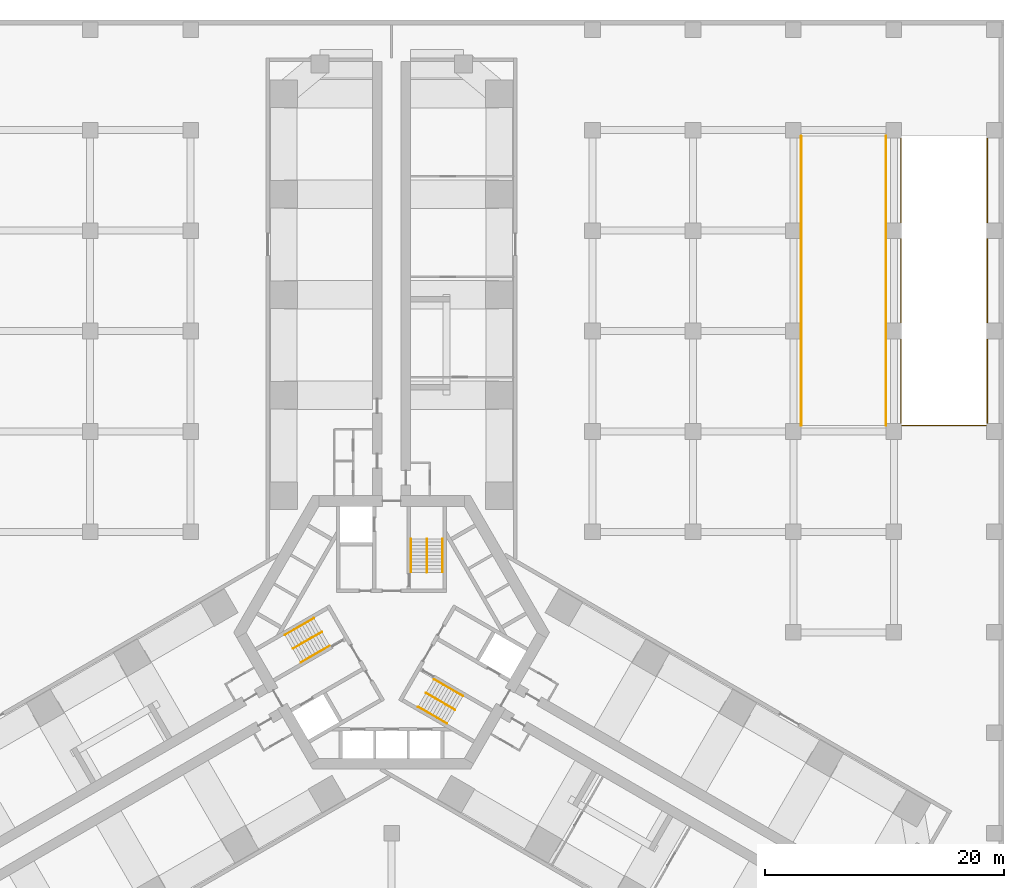
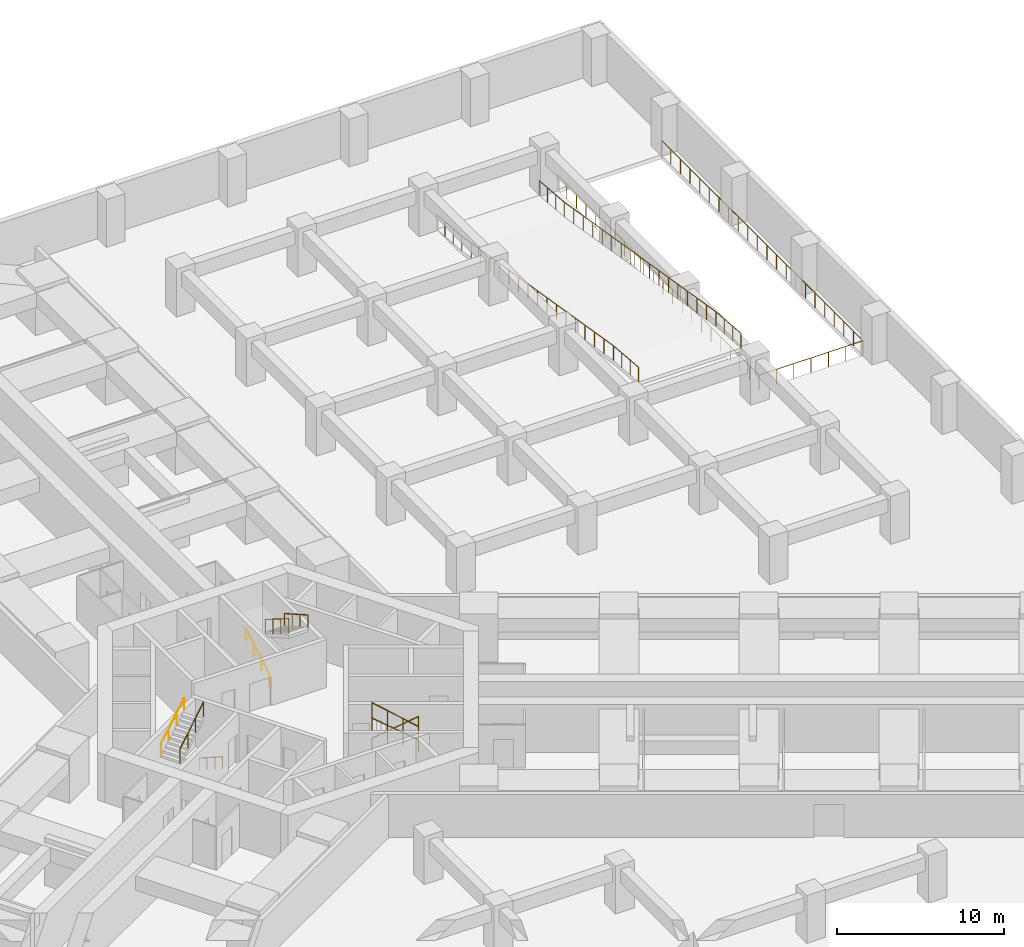
# One storey, part 10 of 10: 12 railings.
"""IFC4 building model written with IfcOpenShell, lengths in metres."""

from ifc_helpers import new_model, si_unit, direction, frame, origin, origin_2d, place, context, subcontext, project, spatial, circle, extrude, material, type_object, element, save


model = new_model("IFC4")

# Units and contexts
model_context = context("Model", 3, precision=1e-05, world=origin(), true_north=direction((0.0, 1.0)))
body_context = subcontext(model_context, "Body", "Model", "MODEL_VIEW")
ifc_project = project(units=[si_unit("LENGTHUNIT", "METRE"), si_unit("AREAUNIT", "SQUARE_METRE"), si_unit("VOLUMEUNIT", "CUBIC_METRE"), si_unit("PLANEANGLEUNIT", "RADIAN"), si_unit("MASSUNIT", "GRAM", prefix="KILO")], contexts=[model_context])

# Site, building, storey
site_placement = place(None, origin())
site = spatial("IfcSite", under=ifc_project, at=site_placement, CompositionType="ELEMENT")
building_placement = place(site_placement, origin())
building = spatial("IfcBuilding", under=site, at=building_placement, Name="Impinga Residences", CompositionType="ELEMENT")
storey_placement = place(building_placement, frame((0.0, 0.0, -3.5)))
storey = spatial("IfcBuildingStorey", under=building, at=storey_placement, Name="B1", CompositionType="ELEMENT", Elevation=-3.5)

# Railings
ifc_material_1 = material(Name="Steel guard, powder coated", Category="steel")
railing_type_1 = type_object("IfcRailingType", Name="GR1 stair guard 1100", PredefinedType="GUARDRAIL", material=ifc_material_1)
railing_1_placement = place(storey_placement, frame((2.949951171875, 7.830078125, 1.75)))
element("IfcRailing", 1, at=railing_1_placement, inside=storey, type_object=railing_type_1, Name="Stair guard GR1 ST1 B1", PredefinedType="GUARDRAIL", context=body_context, shape_type="SweptSolid", body=[
    extrude(circle(Radius=0.02392578125, at=origin_2d()), frame((0.0, 0.0, 1.076171875), z_axis=(0.0, -0.848002457836, 0.529992293815), x_axis=(1.0, 0.0, 0.0)), (0.0, 0.0, 1.0), 3.302001953125),
    extrude(circle(Radius=0.02099609375, at=origin_2d()), origin(), (0.0, 0.0, 1.0), 1.052001953125),
    extrude(circle(Radius=0.02099609375, at=origin_2d()), frame((0.0, -0.933349609375, 0.583251953125)), (0.0, 0.0, 1.0), 1.052001953125),
    extrude(circle(Radius=0.02099609375, at=origin_2d()), frame((0.0, -1.86669921875, 1.166748046875)), (0.0, 0.0, 1.0), 1.052001953125),
    extrude(circle(Radius=0.02099609375, at=origin_2d()), frame((0.0, -2.800048828125, 1.75)), (0.0, 0.0, 1.0), 1.052001953125),
])
railing_2_placement = place(storey_placement, frame((-8.255859375, -1.360107421875, 1.75)))
element("IfcRailing", 2, at=railing_2_placement, inside=storey, type_object=railing_type_1, Name="Stair guard GR1 ST2 B1", PredefinedType="GUARDRAIL", context=body_context, shape_type="SweptSolid", body=[
    extrude(circle(Radius=0.02392578125, at=origin_2d()), frame((0.0, 0.0, 1.076171875), z_axis=(0.734388012738, 0.423981158381, 0.530013418778), x_axis=(-0.49998411664, 0.866034573852, 0.0)), (0.0, 0.0, 1.0), 3.3017578125),
    extrude(circle(Radius=0.02099609375, at=origin_2d()), origin(), (0.0, 0.0, 1.0), 1.052001953125),
    extrude(circle(Radius=0.02099609375, at=origin_2d()), frame((0.808349609375, 0.466552734375, 0.583251953125)), (0.0, 0.0, 1.0), 1.052001953125),
    extrude(circle(Radius=0.02099609375, at=origin_2d()), frame((1.616455078125, 0.933349609375, 1.166748046875)), (0.0, 0.0, 1.0), 1.052001953125),
    extrude(circle(Radius=0.02099609375, at=origin_2d()), frame((2.4248046875, 1.39990234375, 1.75)), (0.0, 0.0, 1.0), 1.052001953125),
])
railing_3_placement = place(storey_placement, frame((5.305908203125, -6.4697265625, 1.75)))
element("IfcRailing", 3, at=railing_3_placement, inside=storey, type_object=railing_type_1, Name="Stair guard GR1 ST3 B1", PredefinedType="GUARDRAIL", context=body_context, shape_type="SweptSolid", body=[
    extrude(circle(Radius=0.02392578125, at=origin_2d()), frame((0.0, 0.0, 1.076171875), z_axis=(-0.734388012738, 0.423981158381, 0.530013418778), x_axis=(-0.49998411664, -0.866034573852, 0.0)), (0.0, 0.0, 1.0), 3.3017578125),
    extrude(circle(Radius=0.02099609375, at=origin_2d()), origin(), (0.0, 0.0, 1.0), 1.052001953125),
    extrude(circle(Radius=0.02099609375, at=origin_2d()), frame((-0.808349609375, 0.466552734375, 0.583251953125)), (0.0, 0.0, 1.0), 1.052001953125),
    extrude(circle(Radius=0.02099609375, at=origin_2d()), frame((-1.616455078125, 0.933349609375, 1.166748046875)), (0.0, 0.0, 1.0), 1.052001953125),
    extrude(circle(Radius=0.02099609375, at=origin_2d()), frame((-2.4248046875, 1.39990234375, 1.75)), (0.0, 0.0, 1.0), 1.052001953125),
])
ifc_material_2 = material(Name="Steel guard, galvanised", Category="steel")
railing_type_2 = type_object("IfcRailingType", Name="GR2 ramp and opening guard 1100", PredefinedType="GUARDRAIL", material=ifc_material_2)
railing_4_placement = place(storey_placement, frame((34.25, 41.5, 0.0)))
element("IfcRailing", 4, at=railing_4_placement, inside=storey, type_object=railing_type_2, Name="Ramp guard GR2 W B1", PredefinedType="GUARDRAIL", context=body_context, shape_type="SweptSolid", body=[
    extrude(circle(Radius=0.02392578125, at=origin_2d()), frame((0.0, 0.0, 1.076171875), z_axis=(0.0, -0.99661255374, 0.082240000773), x_axis=(1.0, 0.0, 0.0)), (0.0, 0.0, 1.0), 3.01025390625),
    extrude(circle(Radius=0.02392578125, at=origin_2d()), frame((0.0, -3.0, 1.32373046875), z_axis=(0.0, -0.986642820524, 0.162898571841), x_axis=(1.0, 0.0, 0.0)), (0.0, 0.0, 1.0), 18.4462890625),
    extrude(circle(Radius=0.02392578125, at=origin_2d()), frame((0.0, -21.199951171875, 4.32861328125), z_axis=(0.0, -0.99661255374, 0.082240000773), x_axis=(1.0, 0.0, 0.0)), (0.0, 0.0, 1.0), 3.01025390625),
    extrude(circle(Radius=0.02099609375, at=origin_2d()), origin(), (0.0, 0.0, 1.0), 1.052001953125),
    extrude(circle(Radius=0.02099609375, at=origin_2d()), frame((0.0, -1.0, 0.08251953125)), (0.0, 0.0, 1.0), 1.052001953125),
    extrude(circle(Radius=0.02099609375, at=origin_2d()), frame((0.0, -2.0, 0.1650390625)), (0.0, 0.0, 1.0), 1.052001953125),
    extrude(circle(Radius=0.02099609375, at=origin_2d()), frame((0.0, -3.0, 0.24755859375)), (0.0, 0.0, 1.0), 1.052001953125),
    extrude(circle(Radius=0.02099609375, at=origin_2d()), frame((0.0, -4.137451171875, 0.435302734375)), (0.0, 0.0, 1.0), 1.052001953125),
    extrude(circle(Radius=0.02099609375, at=origin_2d()), frame((0.0, -5.27490234375, 0.623046875)), (0.0, 0.0, 1.0), 1.052001953125),
    extrude(circle(Radius=0.02099609375, at=origin_2d()), frame((0.0, -6.41259765625, 0.81103515625)), (0.0, 0.0, 1.0), 1.052001953125),
    extrude(circle(Radius=0.02099609375, at=origin_2d()), frame((0.0, -7.550048828125, 0.998779296875)), (0.0, 0.0, 1.0), 1.052001953125),
    extrude(circle(Radius=0.02099609375, at=origin_2d()), frame((0.0, -8.6875, 1.1865234375)), (0.0, 0.0, 1.0), 1.052001953125),
    extrude(circle(Radius=0.02099609375, at=origin_2d()), frame((0.0, -9.824951171875, 1.37451171875)), (0.0, 0.0, 1.0), 1.052001953125),
    extrude(circle(Radius=0.02099609375, at=origin_2d()), frame((0.0, -10.96240234375, 1.562255859375)), (0.0, 0.0, 1.0), 1.052001953125),
    extrude(circle(Radius=0.02099609375, at=origin_2d()), frame((0.0, -12.10009765625, 1.75)), (0.0, 0.0, 1.0), 1.052001953125),
    extrude(circle(Radius=0.02099609375, at=origin_2d()), frame((0.0, -13.237548828125, 1.937744140625)), (0.0, 0.0, 1.0), 1.052001953125),
    extrude(circle(Radius=0.02099609375, at=origin_2d()), frame((0.0, -14.375, 2.12548828125)), (0.0, 0.0, 1.0), 1.052001953125),
    extrude(circle(Radius=0.02099609375, at=origin_2d()), frame((0.0, -15.512451171875, 2.3134765625)), (0.0, 0.0, 1.0), 1.052001953125),
    extrude(circle(Radius=0.02099609375, at=origin_2d()), frame((0.0, -16.64990234375, 2.501220703125)), (0.0, 0.0, 1.0), 1.052001953125),
    extrude(circle(Radius=0.02099609375, at=origin_2d()), frame((0.0, -17.787353515625, 2.68896484375)), (0.0, 0.0, 1.0), 1.052001953125),
    extrude(circle(Radius=0.02099609375, at=origin_2d()), frame((0.0, -18.925048828125, 2.876953125)), (0.0, 0.0, 1.0), 1.052001953125),
    extrude(circle(Radius=0.02099609375, at=origin_2d()), frame((0.0, -20.0625, 3.064697265625)), (0.0, 0.0, 1.0), 1.052001953125),
    extrude(circle(Radius=0.02099609375, at=origin_2d()), frame((0.0, -21.199951171875, 3.25244140625)), (0.0, 0.0, 1.0), 1.052001953125),
    extrude(circle(Radius=0.02099609375, at=origin_2d()), frame((0.0, -22.199951171875, 3.3349609375)), (0.0, 0.0, 1.0), 1.052001953125),
    extrude(circle(Radius=0.02099609375, at=origin_2d()), frame((0.0, -23.199951171875, 3.41748046875)), (0.0, 0.0, 1.0), 1.052001953125),
    extrude(circle(Radius=0.02099609375, at=origin_2d()), frame((0.0, -24.199951171875, 3.5)), (0.0, 0.0, 1.0), 1.052001953125),
])
railing_5_placement = place(storey_placement, frame((41.35009765625, 41.5, 0.0)))
element("IfcRailing", 5, at=railing_5_placement, inside=storey, type_object=railing_type_2, Name="Ramp guard GR2 E B1", PredefinedType="GUARDRAIL", context=body_context, shape_type="SweptSolid", body=[
    extrude(circle(Radius=0.02392578125, at=origin_2d()), frame((0.0, 0.0, 1.076171875), z_axis=(0.0, -0.99661255374, 0.082240000773), x_axis=(1.0, 0.0, 0.0)), (0.0, 0.0, 1.0), 3.01025390625),
    extrude(circle(Radius=0.02392578125, at=origin_2d()), frame((0.0, -3.0, 1.32373046875), z_axis=(0.0, -0.986642820524, 0.162898571841), x_axis=(1.0, 0.0, 0.0)), (0.0, 0.0, 1.0), 18.4462890625),
    extrude(circle(Radius=0.02392578125, at=origin_2d()), frame((0.0, -21.199951171875, 4.32861328125), z_axis=(0.0, -0.99661255374, 0.082240000773), x_axis=(1.0, 0.0, 0.0)), (0.0, 0.0, 1.0), 3.01025390625),
    extrude(circle(Radius=0.02099609375, at=origin_2d()), origin(), (0.0, 0.0, 1.0), 1.052001953125),
    extrude(circle(Radius=0.02099609375, at=origin_2d()), frame((0.0, -1.0, 0.08251953125)), (0.0, 0.0, 1.0), 1.052001953125),
    extrude(circle(Radius=0.02099609375, at=origin_2d()), frame((0.0, -2.0, 0.1650390625)), (0.0, 0.0, 1.0), 1.052001953125),
    extrude(circle(Radius=0.02099609375, at=origin_2d()), frame((0.0, -3.0, 0.24755859375)), (0.0, 0.0, 1.0), 1.052001953125),
    extrude(circle(Radius=0.02099609375, at=origin_2d()), frame((0.0, -4.137451171875, 0.435302734375)), (0.0, 0.0, 1.0), 1.052001953125),
    extrude(circle(Radius=0.02099609375, at=origin_2d()), frame((0.0, -5.27490234375, 0.623046875)), (0.0, 0.0, 1.0), 1.052001953125),
    extrude(circle(Radius=0.02099609375, at=origin_2d()), frame((0.0, -6.41259765625, 0.81103515625)), (0.0, 0.0, 1.0), 1.052001953125),
    extrude(circle(Radius=0.02099609375, at=origin_2d()), frame((0.0, -7.550048828125, 0.998779296875)), (0.0, 0.0, 1.0), 1.052001953125),
    extrude(circle(Radius=0.02099609375, at=origin_2d()), frame((0.0, -8.6875, 1.1865234375)), (0.0, 0.0, 1.0), 1.052001953125),
    extrude(circle(Radius=0.02099609375, at=origin_2d()), frame((0.0, -9.824951171875, 1.37451171875)), (0.0, 0.0, 1.0), 1.052001953125),
    extrude(circle(Radius=0.02099609375, at=origin_2d()), frame((0.0, -10.96240234375, 1.562255859375)), (0.0, 0.0, 1.0), 1.052001953125),
    extrude(circle(Radius=0.02099609375, at=origin_2d()), frame((0.0, -12.10009765625, 1.75)), (0.0, 0.0, 1.0), 1.052001953125),
    extrude(circle(Radius=0.02099609375, at=origin_2d()), frame((0.0, -13.237548828125, 1.937744140625)), (0.0, 0.0, 1.0), 1.052001953125),
    extrude(circle(Radius=0.02099609375, at=origin_2d()), frame((0.0, -14.375, 2.12548828125)), (0.0, 0.0, 1.0), 1.052001953125),
    extrude(circle(Radius=0.02099609375, at=origin_2d()), frame((0.0, -15.512451171875, 2.3134765625)), (0.0, 0.0, 1.0), 1.052001953125),
    extrude(circle(Radius=0.02099609375, at=origin_2d()), frame((0.0, -16.64990234375, 2.501220703125)), (0.0, 0.0, 1.0), 1.052001953125),
    extrude(circle(Radius=0.02099609375, at=origin_2d()), frame((0.0, -17.787353515625, 2.68896484375)), (0.0, 0.0, 1.0), 1.052001953125),
    extrude(circle(Radius=0.02099609375, at=origin_2d()), frame((0.0, -18.925048828125, 2.876953125)), (0.0, 0.0, 1.0), 1.052001953125),
    extrude(circle(Radius=0.02099609375, at=origin_2d()), frame((0.0, -20.0625, 3.064697265625)), (0.0, 0.0, 1.0), 1.052001953125),
    extrude(circle(Radius=0.02099609375, at=origin_2d()), frame((0.0, -21.199951171875, 3.25244140625)), (0.0, 0.0, 1.0), 1.052001953125),
    extrude(circle(Radius=0.02099609375, at=origin_2d()), frame((0.0, -22.199951171875, 3.3349609375)), (0.0, 0.0, 1.0), 1.052001953125),
    extrude(circle(Radius=0.02099609375, at=origin_2d()), frame((0.0, -23.199951171875, 3.41748046875)), (0.0, 0.0, 1.0), 1.052001953125),
    extrude(circle(Radius=0.02099609375, at=origin_2d()), frame((0.0, -24.199951171875, 3.5)), (0.0, 0.0, 1.0), 1.052001953125),
])
railing_6_placement = place(storey_placement, frame((42.60009765625, 41.5, 0.0)))
element("IfcRailing", 6, at=railing_6_placement, inside=storey, type_object=railing_type_2, Name="Opening guard GR2 B1", PredefinedType="GUARDRAIL", context=body_context, shape_type="SweptSolid", body=[
    extrude(circle(Radius=0.02392578125, at=origin_2d()), frame((0.0, 0.0, 1.076171875), z_axis=(0.0, -1.0, 0.0), x_axis=(1.0, 0.0, 0.0)), (0.0, 0.0, 1.0), 24.199951171875),
    extrude(circle(Radius=0.02392578125, at=origin_2d()), frame((0.0, -24.199951171875, 1.076171875), z_axis=(1.0, 0.0, 0.0), x_axis=(0.0, 1.0, 0.0)), (0.0, 0.0, 1.0), 7.199951171875),
    extrude(circle(Radius=0.02392578125, at=origin_2d()), frame((7.199951171875, -24.199951171875, 1.076171875), z_axis=(0.0, 1.0, 0.0), x_axis=(-1.0, 0.0, 0.0)), (0.0, 0.0, 1.0), 24.199951171875),
    extrude(circle(Radius=0.02099609375, at=origin_2d()), origin(), (0.0, 0.0, 1.0), 1.052001953125),
    extrude(circle(Radius=0.02099609375, at=origin_2d()), frame((0.0, -1.15234375, 0.0)), (0.0, 0.0, 1.0), 1.052001953125),
    extrude(circle(Radius=0.02099609375, at=origin_2d()), frame((0.0, -2.3046875, 0.0)), (0.0, 0.0, 1.0), 1.052001953125),
    extrude(circle(Radius=0.02099609375, at=origin_2d()), frame((0.0, -3.45703125, 0.0)), (0.0, 0.0, 1.0), 1.052001953125),
    extrude(circle(Radius=0.02099609375, at=origin_2d()), frame((0.0, -4.609619140625, 0.0)), (0.0, 0.0, 1.0), 1.052001953125),
    extrude(circle(Radius=0.02099609375, at=origin_2d()), frame((0.0, -5.761962890625, 0.0)), (0.0, 0.0, 1.0), 1.052001953125),
    extrude(circle(Radius=0.02099609375, at=origin_2d()), frame((0.0, -6.914306640625, 0.0)), (0.0, 0.0, 1.0), 1.052001953125),
    extrude(circle(Radius=0.02099609375, at=origin_2d()), frame((0.0, -8.066650390625, 0.0)), (0.0, 0.0, 1.0), 1.052001953125),
    extrude(circle(Radius=0.02099609375, at=origin_2d()), frame((0.0, -9.218994140625, 0.0)), (0.0, 0.0, 1.0), 1.052001953125),
    extrude(circle(Radius=0.02099609375, at=origin_2d()), frame((0.0, -10.371337890625, 0.0)), (0.0, 0.0, 1.0), 1.052001953125),
    extrude(circle(Radius=0.02099609375, at=origin_2d()), frame((0.0, -11.523681640625, 0.0)), (0.0, 0.0, 1.0), 1.052001953125),
    extrude(circle(Radius=0.02099609375, at=origin_2d()), frame((0.0, -12.67626953125, 0.0)), (0.0, 0.0, 1.0), 1.052001953125),
    extrude(circle(Radius=0.02099609375, at=origin_2d()), frame((0.0, -13.82861328125, 0.0)), (0.0, 0.0, 1.0), 1.052001953125),
    extrude(circle(Radius=0.02099609375, at=origin_2d()), frame((0.0, -14.98095703125, 0.0)), (0.0, 0.0, 1.0), 1.052001953125),
    extrude(circle(Radius=0.02099609375, at=origin_2d()), frame((0.0, -16.13330078125, 0.0)), (0.0, 0.0, 1.0), 1.052001953125),
    extrude(circle(Radius=0.02099609375, at=origin_2d()), frame((0.0, -17.28564453125, 0.0)), (0.0, 0.0, 1.0), 1.052001953125),
    extrude(circle(Radius=0.02099609375, at=origin_2d()), frame((0.0, -18.43798828125, 0.0)), (0.0, 0.0, 1.0), 1.052001953125),
    extrude(circle(Radius=0.02099609375, at=origin_2d()), frame((0.0, -19.59033203125, 0.0)), (0.0, 0.0, 1.0), 1.052001953125),
    extrude(circle(Radius=0.02099609375, at=origin_2d()), frame((0.0, -20.742919921875, 0.0)), (0.0, 0.0, 1.0), 1.052001953125),
    extrude(circle(Radius=0.02099609375, at=origin_2d()), frame((0.0, -21.895263671875, 0.0)), (0.0, 0.0, 1.0), 1.052001953125),
    extrude(circle(Radius=0.02099609375, at=origin_2d()), frame((0.0, -23.047607421875, 0.0)), (0.0, 0.0, 1.0), 1.052001953125),
    extrude(circle(Radius=0.02099609375, at=origin_2d()), frame((0.0, -24.199951171875, 0.0)), (0.0, 0.0, 1.0), 1.052001953125),
    extrude(circle(Radius=0.02099609375, at=origin_2d()), frame((1.199951171875, -24.199951171875, 0.0)), (0.0, 0.0, 1.0), 1.052001953125),
    extrude(circle(Radius=0.02099609375, at=origin_2d()), frame((2.39990234375, -24.199951171875, 0.0)), (0.0, 0.0, 1.0), 1.052001953125),
    extrude(circle(Radius=0.02099609375, at=origin_2d()), frame((3.60009765625, -24.199951171875, 0.0)), (0.0, 0.0, 1.0), 1.052001953125),
    extrude(circle(Radius=0.02099609375, at=origin_2d()), frame((4.800048828125, -24.199951171875, 0.0)), (0.0, 0.0, 1.0), 1.052001953125),
    extrude(circle(Radius=0.02099609375, at=origin_2d()), frame((6.0, -24.199951171875, 0.0)), (0.0, 0.0, 1.0), 1.052001953125),
    extrude(circle(Radius=0.02099609375, at=origin_2d()), frame((7.199951171875, -24.199951171875, 0.0)), (0.0, 0.0, 1.0), 1.052001953125),
    extrude(circle(Radius=0.02099609375, at=origin_2d()), frame((7.199951171875, -23.047607421875, 0.0)), (0.0, 0.0, 1.0), 1.052001953125),
    extrude(circle(Radius=0.02099609375, at=origin_2d()), frame((7.199951171875, -21.895263671875, 0.0)), (0.0, 0.0, 1.0), 1.052001953125),
    extrude(circle(Radius=0.02099609375, at=origin_2d()), frame((7.199951171875, -20.742919921875, 0.0)), (0.0, 0.0, 1.0), 1.052001953125),
    extrude(circle(Radius=0.02099609375, at=origin_2d()), frame((7.199951171875, -19.59033203125, 0.0)), (0.0, 0.0, 1.0), 1.052001953125),
    extrude(circle(Radius=0.02099609375, at=origin_2d()), frame((7.199951171875, -18.43798828125, 0.0)), (0.0, 0.0, 1.0), 1.052001953125),
    extrude(circle(Radius=0.02099609375, at=origin_2d()), frame((7.199951171875, -17.28564453125, 0.0)), (0.0, 0.0, 1.0), 1.052001953125),
    extrude(circle(Radius=0.02099609375, at=origin_2d()), frame((7.199951171875, -16.13330078125, 0.0)), (0.0, 0.0, 1.0), 1.052001953125),
    extrude(circle(Radius=0.02099609375, at=origin_2d()), frame((7.199951171875, -14.98095703125, 0.0)), (0.0, 0.0, 1.0), 1.052001953125),
    extrude(circle(Radius=0.02099609375, at=origin_2d()), frame((7.199951171875, -13.82861328125, 0.0)), (0.0, 0.0, 1.0), 1.052001953125),
    extrude(circle(Radius=0.02099609375, at=origin_2d()), frame((7.199951171875, -12.67626953125, 0.0)), (0.0, 0.0, 1.0), 1.052001953125),
    extrude(circle(Radius=0.02099609375, at=origin_2d()), frame((7.199951171875, -11.523681640625, 0.0)), (0.0, 0.0, 1.0), 1.052001953125),
    extrude(circle(Radius=0.02099609375, at=origin_2d()), frame((7.199951171875, -10.371337890625, 0.0)), (0.0, 0.0, 1.0), 1.052001953125),
    extrude(circle(Radius=0.02099609375, at=origin_2d()), frame((7.199951171875, -9.218994140625, 0.0)), (0.0, 0.0, 1.0), 1.052001953125),
    extrude(circle(Radius=0.02099609375, at=origin_2d()), frame((7.199951171875, -8.066650390625, 0.0)), (0.0, 0.0, 1.0), 1.052001953125),
    extrude(circle(Radius=0.02099609375, at=origin_2d()), frame((7.199951171875, -6.914306640625, 0.0)), (0.0, 0.0, 1.0), 1.052001953125),
    extrude(circle(Radius=0.02099609375, at=origin_2d()), frame((7.199951171875, -5.761962890625, 0.0)), (0.0, 0.0, 1.0), 1.052001953125),
    extrude(circle(Radius=0.02099609375, at=origin_2d()), frame((7.199951171875, -4.609619140625, 0.0)), (0.0, 0.0, 1.0), 1.052001953125),
    extrude(circle(Radius=0.02099609375, at=origin_2d()), frame((7.199951171875, -3.45703125, 0.0)), (0.0, 0.0, 1.0), 1.052001953125),
    extrude(circle(Radius=0.02099609375, at=origin_2d()), frame((7.199951171875, -2.3046875, 0.0)), (0.0, 0.0, 1.0), 1.052001953125),
    extrude(circle(Radius=0.02099609375, at=origin_2d()), frame((7.199951171875, -1.15234375, 0.0)), (0.0, 0.0, 1.0), 1.052001953125),
    extrude(circle(Radius=0.02099609375, at=origin_2d()), frame((7.199951171875, 0.0, 0.0)), (0.0, 0.0, 1.0), 1.052001953125),
])
ifc_material_3 = material(Name="Steel handrail tube 42 mm, powder coated", Category="steel")
railing_type_3 = type_object("IfcRailingType", Name="HR1 stair handrail, 42 mm steel tube, 900 above the pitch line", PredefinedType="HANDRAIL", material=ifc_material_3)
railing_7_placement = place(storey_placement, frame((1.62109375, 5.030029296875, 0.1591796875)))
element("IfcRailing", 7, at=railing_7_placement, inside=storey, type_object=railing_type_3, Name="Stair handrail HR1 ST1 B1", PredefinedType="HANDRAIL", context=body_context, shape_type="SweptSolid", body=[
    extrude(circle(Radius=0.02099609375, at=origin_2d()), frame((0.0, 0.0, 0.87890625), z_axis=(0.0, 0.869472097993, 0.493982055151), x_axis=(-1.0, 0.0, 0.0)), (0.0, 0.0, 1.0), 3.220458984375),
    extrude(circle(Radius=0.012451171875, at=origin_2d()), origin(), (0.0, 0.0, 1.0), 0.85791015625),
    extrude(circle(Radius=0.012451171875, at=origin_2d()), frame((0.0, 0.933349609375, 0.5302734375)), (0.0, 0.0, 1.0), 0.85791015625),
    extrude(circle(Radius=0.012451171875, at=origin_2d()), frame((0.0, 1.86669921875, 1.060546875)), (0.0, 0.0, 1.0), 0.85791015625),
    extrude(circle(Radius=0.012451171875, at=origin_2d()), frame((0.0, 2.800048828125, 1.5908203125)), (0.0, 0.0, 1.0), 0.85791015625),
])
railing_8_placement = place(storey_placement, frame((4.279052734375, 7.830078125, 1.9091796875)))
element("IfcRailing", 8, at=railing_8_placement, inside=storey, type_object=railing_type_3, Name="Stair handrail HR1 ST1 B1", PredefinedType="HANDRAIL", context=body_context, shape_type="SweptSolid", body=[
    extrude(circle(Radius=0.02099609375, at=origin_2d()), frame((0.0, 0.0, 0.87890625), z_axis=(0.0, -0.869472097993, 0.493982055151), x_axis=(1.0, 0.0, 0.0)), (0.0, 0.0, 1.0), 3.220458984375),
    extrude(circle(Radius=0.012451171875, at=origin_2d()), origin(), (0.0, 0.0, 1.0), 0.85791015625),
    extrude(circle(Radius=0.012451171875, at=origin_2d()), frame((0.0, -0.933349609375, 0.5302734375)), (0.0, 0.0, 1.0), 0.85791015625),
    extrude(circle(Radius=0.012451171875, at=origin_2d()), frame((0.0, -1.86669921875, 1.060546875)), (0.0, 0.0, 1.0), 0.85791015625),
    extrude(circle(Radius=0.012451171875, at=origin_2d()), frame((0.0, -2.800048828125, 1.5908203125)), (0.0, 0.0, 1.0), 0.85791015625),
])
railing_9_placement = place(storey_placement, frame((-5.16650390625, -1.111083984375, 0.1591796875)))
element("IfcRailing", 9, at=railing_9_placement, inside=storey, type_object=railing_type_3, Name="Stair handrail HR1 ST2 B1", PredefinedType="HANDRAIL", context=body_context, shape_type="SweptSolid", body=[
    extrude(circle(Radius=0.02099609375, at=origin_2d()), frame((0.0, 0.0, 0.87890625), z_axis=(-0.752990723159, -0.434753024999, 0.493958275657), x_axis=(0.500011755427, -0.866018616679, 0.0)), (0.0, 0.0, 1.0), 3.220458984375),
    extrude(circle(Radius=0.012451171875, at=origin_2d()), origin(), (0.0, 0.0, 1.0), 0.85791015625),
    extrude(circle(Radius=0.012451171875, at=origin_2d()), frame((-0.808349609375, -0.466796875, 0.5302734375)), (0.0, 0.0, 1.0), 0.85791015625),
    extrude(circle(Radius=0.012451171875, at=origin_2d()), frame((-1.61669921875, -0.933349609375, 1.060546875)), (0.0, 0.0, 1.0), 0.85791015625),
    extrude(circle(Radius=0.012451171875, at=origin_2d()), frame((-2.425048828125, -1.400146484375, 1.5908203125)), (0.0, 0.0, 1.0), 0.85791015625),
])
railing_10_placement = place(storey_placement, frame((-8.92041015625, -0.209228515625, 1.9091796875)))
element("IfcRailing", 10, at=railing_10_placement, inside=storey, type_object=railing_type_3, Name="Stair handrail HR1 ST2 B1", PredefinedType="HANDRAIL", context=body_context, shape_type="SweptSolid", body=[
    extrude(circle(Radius=0.02099609375, at=origin_2d()), frame((0.0, 0.0, 0.87890625), z_axis=(0.752982712915, 0.434716358826, 0.494002754466), x_axis=(-0.49998411664, 0.866034573852, 0.0)), (0.0, 0.0, 1.0), 3.22021484375),
    extrude(circle(Radius=0.012451171875, at=origin_2d()), origin(), (0.0, 0.0, 1.0), 0.85791015625),
    extrude(circle(Radius=0.012451171875, at=origin_2d()), frame((0.808349609375, 0.466552734375, 0.5302734375)), (0.0, 0.0, 1.0), 0.85791015625),
    extrude(circle(Radius=0.012451171875, at=origin_2d()), frame((1.616455078125, 0.933349609375, 1.060546875)), (0.0, 0.0, 1.0), 0.85791015625),
    extrude(circle(Radius=0.012451171875, at=origin_2d()), frame((2.4248046875, 1.39990234375, 1.5908203125)), (0.0, 0.0, 1.0), 0.85791015625),
])
railing_11_placement = place(storey_placement, frame((3.545654296875, -3.9189453125, 0.1591796875)))
element("IfcRailing", 11, at=railing_11_placement, inside=storey, type_object=railing_type_3, Name="Stair handrail HR1 ST3 B1", PredefinedType="HANDRAIL", context=body_context, shape_type="SweptSolid", body=[
    extrude(circle(Radius=0.02099609375, at=origin_2d()), frame((0.0, 0.0, 0.87890625), z_axis=(0.752982712915, -0.434716358826, 0.494002754466), x_axis=(0.49998411664, 0.866034573852, 0.0)), (0.0, 0.0, 1.0), 3.22021484375),
    extrude(circle(Radius=0.012451171875, at=origin_2d()), origin(), (0.0, 0.0, 1.0), 0.85791015625),
    extrude(circle(Radius=0.012451171875, at=origin_2d()), frame((0.808349609375, -0.466552734375, 0.5302734375)), (0.0, 0.0, 1.0), 0.85791015625),
    extrude(circle(Radius=0.012451171875, at=origin_2d()), frame((1.616455078125, -0.933349609375, 1.060546875)), (0.0, 0.0, 1.0), 0.85791015625),
    extrude(circle(Radius=0.012451171875, at=origin_2d()), frame((2.4248046875, -1.39990234375, 1.5908203125)), (0.0, 0.0, 1.0), 0.85791015625),
])
railing_12_placement = place(storey_placement, frame((4.641357421875, -7.62060546875, 1.9091796875)))
element("IfcRailing", 12, at=railing_12_placement, inside=storey, type_object=railing_type_3, Name="Stair handrail HR1 ST3 B1", PredefinedType="HANDRAIL", context=body_context, shape_type="SweptSolid", body=[
    extrude(circle(Radius=0.02099609375, at=origin_2d()), frame((0.0, 0.0, 0.87890625), z_axis=(-0.752982712915, 0.434716358826, 0.494002754466), x_axis=(-0.49998411664, -0.866034573852, 0.0)), (0.0, 0.0, 1.0), 3.22021484375),
    extrude(circle(Radius=0.012451171875, at=origin_2d()), origin(), (0.0, 0.0, 1.0), 0.85791015625),
    extrude(circle(Radius=0.012451171875, at=origin_2d()), frame((-0.808349609375, 0.466552734375, 0.5302734375)), (0.0, 0.0, 1.0), 0.85791015625),
    extrude(circle(Radius=0.012451171875, at=origin_2d()), frame((-1.616455078125, 0.933349609375, 1.060546875)), (0.0, 0.0, 1.0), 0.85791015625),
    extrude(circle(Radius=0.012451171875, at=origin_2d()), frame((-2.4248046875, 1.39990234375, 1.5908203125)), (0.0, 0.0, 1.0), 0.85791015625),
])

save(model, "model.ifc")
